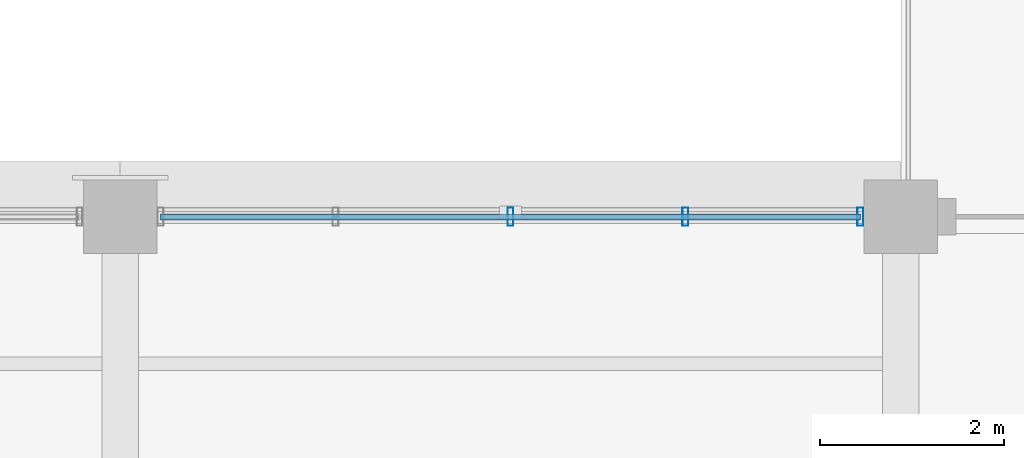
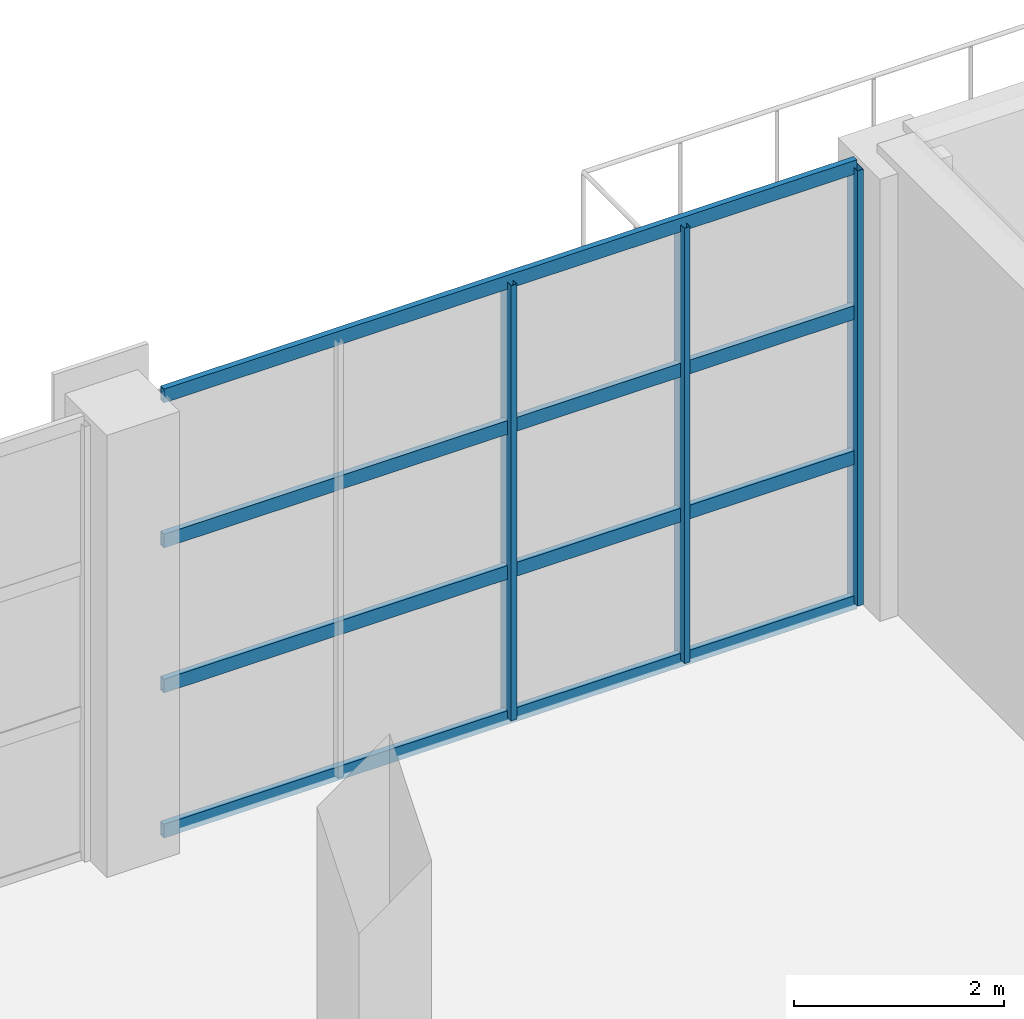
# One storey, part 19 of 90: 7 members, 1 element without a shape of its own.
"""IFC4 building model written with IfcOpenShell, lengths in metres."""

import ifcopenshell
import ifcopenshell.guid

model = None  # the IFC model being written
_history = None  # IfcOwnerHistory: only IFC2X3 demands one
_inside = {}  # id of a spatial element -> (the spatial element, [elements in it])
_under = {}  # id of a project, library or spatial element -> (it, [spatial elements below it])
_declared = {}  # id of a project -> (the project, [libraries it declares])
_typed = {}  # id of a type object -> (the type object, [elements of that type])
_made_of = {}  # id of a material, layer set ... -> (it, [elements and type objects made of it])


def new_model(schema):
    """Start an empty IFC model of exactly this schema.

    Asked for "IFC4X3", IfcOpenShell would pick the latest addendum, in which some entities
    have other attributes; the version numbers below select the first issue.
    IFC2X3 requires an IfcOwnerHistory on every rooted entity: one is made here for all.
    """
    global model, _history
    if schema == "IFC4X3":
        model = ifcopenshell.file(schema_version=(4, 3, 0, 0))
    else:
        model = ifcopenshell.file(schema=schema)
    _inside.clear()
    _under.clear()
    _declared.clear()
    _typed.clear()
    _made_of.clear()
    _history = None
    if model.schema == "IFC2X3":
        org = make("IfcOrganization", Name="unknown")
        user = make(
            "IfcPersonAndOrganization",
            ThePerson=make("IfcPerson", FamilyName="unknown"),
            TheOrganization=org,
        )
        app = make(
            "IfcApplication",
            ApplicationDeveloper=org,
            Version="unknown",
            ApplicationFullName="unknown",
            ApplicationIdentifier="unknown",
        )
        _history = make(
            "IfcOwnerHistory",
            OwningUser=user,
            OwningApplication=app,
            ChangeAction="ADDED",
            CreationDate=0,
        )
    return model


def make(cls, **values):
    """One entity of the class cls with the attributes given. An attribute that is None is left unset."""
    return model.create_entity(
        cls, **{name: value for name, value in values.items() if value is not None}
    )


def rooted(cls, **values):
    """An entity with a GlobalId (a new one), such as an element, a storey or a relation."""
    return make(cls, GlobalId=ifcopenshell.guid.new(), OwnerHistory=_history, **values)


def si_unit(unit_type, name, prefix=None):
    """IfcSIUnit, for example si_unit("LENGTHUNIT", "METRE", prefix="MILLI")."""
    return make("IfcSIUnit", UnitType=unit_type, Prefix=prefix, Name=name)


def assignment(units):
    """IfcUnitAssignment: the units of a project."""
    return None if units is None else make("IfcUnitAssignment", Units=units)


def point(xyz):
    """IfcCartesianPoint."""
    return None if xyz is None else make("IfcCartesianPoint", Coordinates=xyz)


def direction(xyz):
    """IfcDirection."""
    return None if xyz is None else make("IfcDirection", DirectionRatios=xyz)


def frame(location, z_axis=None, x_axis=None):
    """IfcAxis2Placement3D, a coordinate frame: its origin and axes. An axis left out is left unset."""
    return make(
        "IfcAxis2Placement3D",
        Location=point(location),
        Axis=direction(z_axis),
        RefDirection=direction(x_axis),
    )


def frame_2d(location, x_axis=None):
    """IfcAxis2Placement2D, a coordinate frame in the plane: its origin and x axis."""
    return make(
        "IfcAxis2Placement2D", Location=point(location), RefDirection=direction(x_axis)
    )


def origin():
    """The frame at (0, 0, 0) with its axes left unset."""
    return frame((0.0, 0.0, 0.0))


def origin_2d():
    """The frame at (0, 0) in the plane with its x axis left unset."""
    return frame_2d((0.0, 0.0))


def place(relative_to, where):
    """IfcLocalPlacement: puts the frame where relative to a parent placement (None: the world)."""
    return make(
        "IfcLocalPlacement", PlacementRelTo=relative_to, RelativePlacement=where
    )


def context(
    kind, dimensions, precision=None, world=None, true_north=None, identifier=None
):
    """IfcGeometricRepresentationContext, for example the 3D "Model" context."""
    return make(
        "IfcGeometricRepresentationContext",
        ContextIdentifier=identifier,
        ContextType=kind,
        CoordinateSpaceDimension=dimensions,
        Precision=precision,
        WorldCoordinateSystem=world,
        TrueNorth=true_north,
    )


def subcontext(parent, identifier, kind, view, scale=None):
    """IfcGeometricRepresentationSubContext, for example "Body" below "Model"."""
    return make(
        "IfcGeometricRepresentationSubContext",
        ContextIdentifier=identifier,
        ContextType=kind,
        ParentContext=parent,
        TargetScale=scale,
        TargetView=view,
    )


def project(units=None, contexts=None):
    """IfcProject with its units and contexts."""
    return rooted(
        "IfcProject",
        Name="project",
        RepresentationContexts=contexts,
        UnitsInContext=assignment(units),
    )


def spatial(cls, under=None, at=None, **own):
    """A site, building, storey or space (cls), placed at a placement, below another one or the project."""
    s = rooted(cls, ObjectPlacement=at, **own)
    if under is not None:
        _under.setdefault(under.id(), (under, []))[1].append(s)
    return s


def profile(cls, at=None, kind="AREA", **sizes):
    """A parametric profile (cls). Its sizes go by their IFC names, for example OverallWidth=200.0."""
    return make(cls, ProfileType=kind, Position=at, **sizes)


def hollow_rectangle(**sizes):
    """IfcRectangleHollowProfileDef."""
    return profile("IfcRectangleHollowProfileDef", **sizes)


def extrude(swept, where, along, depth):
    """IfcExtrudedAreaSolid: the profile swept, set in the frame where, extruded along a direction by depth."""
    return make(
        "IfcExtrudedAreaSolid",
        SweptArea=swept,
        Position=where,
        ExtrudedDirection=direction(along),
        Depth=depth,
    )


def shape(context_of_items, identifier, shape_type, items):
    """IfcShapeRepresentation: the items that make up one representation, for example the "Body"."""
    return make(
        "IfcShapeRepresentation",
        ContextOfItems=context_of_items,
        RepresentationIdentifier=identifier,
        RepresentationType=shape_type,
        Items=items,
    )


def material(Name=None, Category=None):
    """IfcMaterial."""
    return make("IfcMaterial", Name=Name, Category=Category)


def material_profile(
    of_material, cross_section, Name=None, Category=None, Priority=None
):
    """IfcMaterialProfile: a cross section and its material."""
    return make(
        "IfcMaterialProfile",
        Name=Name,
        Material=of_material,
        Profile=cross_section,
        Priority=Priority,
        Category=Category,
    )


def profile_set(profiles, Name=None, composite=None):
    """IfcMaterialProfileSet."""
    return make(
        "IfcMaterialProfileSet",
        Name=Name,
        MaterialProfiles=profiles,
        CompositeProfile=composite,
    )


def made_of(thing, what):
    """Note that an element or type object is made of a material, layer set ...; save() writes the relation."""
    if what is not None:
        _made_of.setdefault(what.id(), (what, []))[1].append(thing)
    return thing


def type_object(cls, material=None, **own):
    """A type object (cls), such as IfcWallType, which elements share."""
    return made_of(rooted(cls, **own), material)


def element(
    cls,
    number,
    at=None,
    inside=None,
    cuts=None,
    type_object=None,
    material=None,
    context=None,
    identifier="Body",
    shape_type=None,
    held_by="IfcProductDefinitionShape",
    body=None,
    shapes=None,
    **own,
):
    """One element of the class cls, such as IfcWall. Its Tag is "e" and its number.

    at: its placement. inside: the storey or other place that contains it. cuts: it is an
    opening in that element (IfcRelVoidsElement). A single representation is given by context,
    identifier, shape_type and body (its items); several are given by shapes. held_by: the class
    of the entity that holds the representations. save() writes the other relations.
    """
    e = rooted(cls, Tag="e%d" % number, ObjectPlacement=at, **own)
    if body is not None:
        shapes = [shape(context, identifier, shape_type, body)]
    if shapes is not None:
        e.Representation = make(held_by, Representations=shapes)
    if inside is not None:
        _inside.setdefault(inside.id(), (inside, []))[1].append(e)
    if cuts is not None:
        rooted(
            "IfcRelVoidsElement", RelatingBuildingElement=cuts, RelatedOpeningElement=e
        )
    if type_object is not None:
        _typed.setdefault(type_object.id(), (type_object, []))[1].append(e)
    return made_of(e, material)


def aggregate(whole, parts):
    """IfcRelAggregates: a whole, such as a stair, and the parts it consists of."""
    return rooted("IfcRelAggregates", RelatingObject=whole, RelatedObjects=parts)


def save(model, path):
    """Write the relations noted so far, then the file.

    IfcRelAggregates (storeys below a building ...), IfcRelContainedInSpatialStructure (elements
    in a storey), IfcRelDefinesByType, IfcRelAssociatesMaterial and IfcRelDeclares: one each for
    every whole, place, type object, material and project.
    """
    for whole, parts in _under.values():
        aggregate(whole, parts)
    for where, things in _inside.values():
        rooted(
            "IfcRelContainedInSpatialStructure",
            RelatedElements=things,
            RelatingStructure=where,
        )
    for kind, things in _typed.values():
        rooted("IfcRelDefinesByType", RelatedObjects=things, RelatingType=kind)
    for what, things in _made_of.values():
        rooted("IfcRelAssociatesMaterial", RelatedObjects=things, RelatingMaterial=what)
    for by, libraries in _declared.values():
        rooted("IfcRelDeclares", RelatingContext=by, RelatedDefinitions=libraries)
    model.write(path)


model = new_model("IFC4")

# Units and contexts
model_context = context("Model", 3, precision=1e-05, world=origin(), true_north=direction((0.0, 1.0)))
body_context = subcontext(model_context, "Body", "Model", "MODEL_VIEW")
ifc_project = project(units=[si_unit("LENGTHUNIT", "METRE"), si_unit("AREAUNIT", "SQUARE_METRE"), si_unit("VOLUMEUNIT", "CUBIC_METRE"), si_unit("PLANEANGLEUNIT", "RADIAN"), si_unit("MASSUNIT", "GRAM", prefix="KILO")], contexts=[model_context])

# Site, building, storey
site_placement = place(None, origin())
site = spatial("IfcSite", under=ifc_project, at=site_placement, CompositionType="ELEMENT")
building_placement = place(site_placement, origin())
building = spatial("IfcBuilding", under=site, at=building_placement, Name="Solvikara Media Centre", CompositionType="ELEMENT")
storey_placement = place(building_placement, origin())
storey = spatial("IfcBuildingStorey", under=building, at=storey_placement, Name="L00", CompositionType="ELEMENT", Elevation=0.0)

# Curtain wall, members
ifc_material = material(Name="Anodised aluminium EN AW-6063", Category="aluminium")
curtain_wall_type = type_object("IfcCurtainWallType", Name="CW-03", PredefinedType="NOTDEFINED", material=ifc_material)
curtain_wall_placement = place(storey_placement, origin())
curtain_wall = element("IfcCurtainWall", 1, at=curtain_wall_placement, inside=storey, type_object=curtain_wall_type, Name="CW-L00-CAF-N3", PredefinedType="NOTDEFINED")
ifc_material_profile_1 = material_profile(ifc_material, hollow_rectangle(XDim=0.06494140625, YDim=0.199951171875, WallThickness=0.00390625, at=origin_2d()), Name="ALU-M 65x200x4")
ifc_profile_set_1 = profile_set([ifc_material_profile_1], Name="Anodised aluminium EN AW-6063")
member_type_1 = type_object("IfcMemberType", Name="MF-02", PredefinedType="MULLION", material=ifc_profile_set_1)
member_1_placement = place(storey_placement, frame((63.75, 36.800048828125, 0.02001953125), z_axis=(0.0, 0.0, 1.0), x_axis=(1.0, 0.0, 0.0)))
member_1 = element("IfcMember", 2, at=member_1_placement, type_object=member_type_1, Name="CW-L00-CAF-N3-M02", PredefinedType="MULLION", context=body_context, shape_type="SweptSolid", body=[
    extrude(hollow_rectangle(XDim=0.06494140625, YDim=0.199951171875, WallThickness=0.00390625, at=origin_2d()), origin(), (0.0, 0.0, 1.0), 5.06005859375),
])
member_2_placement = place(storey_placement, frame((65.655029296875, 36.800048828125, 0.02001953125), z_axis=(0.0, 0.0, 1.0), x_axis=(1.0, 0.0, 0.0)))
member_2 = element("IfcMember", 3, at=member_2_placement, type_object=member_type_1, Name="CW-L00-CAF-N3-M03", PredefinedType="MULLION", context=body_context, shape_type="SweptSolid", body=[
    extrude(hollow_rectangle(XDim=0.06494140625, YDim=0.199951171875, WallThickness=0.00390625, at=origin_2d()), origin(), (0.0, 0.0, 1.0), 5.06005859375),
])
member_3_placement = place(storey_placement, frame((67.56005859375, 36.800048828125, 0.02001953125), z_axis=(0.0, 0.0, 1.0), x_axis=(1.0, 0.0, 0.0)))
member_3 = element("IfcMember", 4, at=member_3_placement, type_object=member_type_1, Name="CW-L00-CAF-N3-M04", PredefinedType="MULLION", context=body_context, shape_type="SweptSolid", body=[
    extrude(hollow_rectangle(XDim=0.06494140625, YDim=0.199951171875, WallThickness=0.00390625, at=origin_2d()), origin(), (0.0, 0.0, 1.0), 5.06005859375),
])
ifc_material_profile_2 = material_profile(ifc_material, hollow_rectangle(XDim=0.06494140625, YDim=0.159912109375, WallThickness=0.00341796875, at=origin_2d()), Name="ALU-T 65x160x3.5")
ifc_profile_set_2 = profile_set([ifc_material_profile_2], Name="Anodised aluminium EN AW-6063")
member_type_2 = type_object("IfcMemberType", Name="MF-08", PredefinedType="USERDEFINED", material=ifc_profile_set_2)
member_4_placement = place(storey_placement, frame((59.93994140625, 36.800048828125, 0.02001953125), z_axis=(1.0, 0.0, 0.0), x_axis=(0.0, 1.0, 0.0)))
member_4 = element("IfcMember", 5, at=member_4_placement, type_object=member_type_2, Name="CW-L00-CAF-N3-T00", ObjectType="TRANSOM", PredefinedType="USERDEFINED", context=body_context, shape_type="SweptSolid", body=[
    extrude(hollow_rectangle(XDim=0.06494140625, YDim=0.159912109375, WallThickness=0.00341796875, at=origin_2d()), origin(), (0.0, 0.0, 1.0), 7.6201171875),
])
member_5_placement = place(storey_placement, frame((59.93994140625, 36.800048828125, 1.70703125), z_axis=(1.0, 0.0, 0.0), x_axis=(0.0, 1.0, 0.0)))
member_5 = element("IfcMember", 6, at=member_5_placement, type_object=member_type_2, Name="CW-L00-CAF-N3-T01", ObjectType="TRANSOM", PredefinedType="USERDEFINED", context=body_context, shape_type="SweptSolid", body=[
    extrude(hollow_rectangle(XDim=0.06494140625, YDim=0.159912109375, WallThickness=0.00341796875, at=origin_2d()), origin(), (0.0, 0.0, 1.0), 7.6201171875),
])
member_6_placement = place(storey_placement, frame((59.93994140625, 36.800048828125, 3.39306640625), z_axis=(1.0, 0.0, 0.0), x_axis=(0.0, 1.0, 0.0)))
member_6 = element("IfcMember", 7, at=member_6_placement, type_object=member_type_2, Name="CW-L00-CAF-N3-T02", ObjectType="TRANSOM", PredefinedType="USERDEFINED", context=body_context, shape_type="SweptSolid", body=[
    extrude(hollow_rectangle(XDim=0.06494140625, YDim=0.159912109375, WallThickness=0.00341796875, at=origin_2d()), origin(), (0.0, 0.0, 1.0), 7.6201171875),
])
member_7_placement = place(storey_placement, frame((59.93994140625, 36.800048828125, 5.080078125), z_axis=(1.0, 0.0, 0.0), x_axis=(0.0, 1.0, 0.0)))
member_7 = element("IfcMember", 8, at=member_7_placement, type_object=member_type_2, Name="CW-L00-CAF-N3-T03", ObjectType="TRANSOM", PredefinedType="USERDEFINED", context=body_context, shape_type="SweptSolid", body=[
    extrude(hollow_rectangle(XDim=0.06494140625, YDim=0.159912109375, WallThickness=0.00341796875, at=origin_2d()), origin(), (0.0, 0.0, 1.0), 7.6201171875),
])
aggregate(curtain_wall, [member_1, member_2, member_3, member_4, member_5, member_6, member_7])

save(model, "model.ifc")
